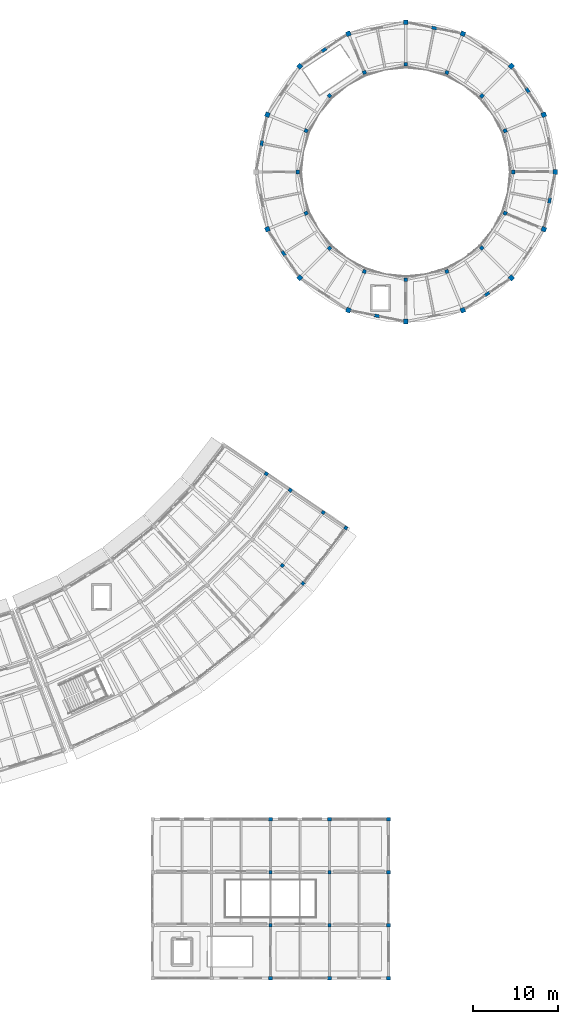
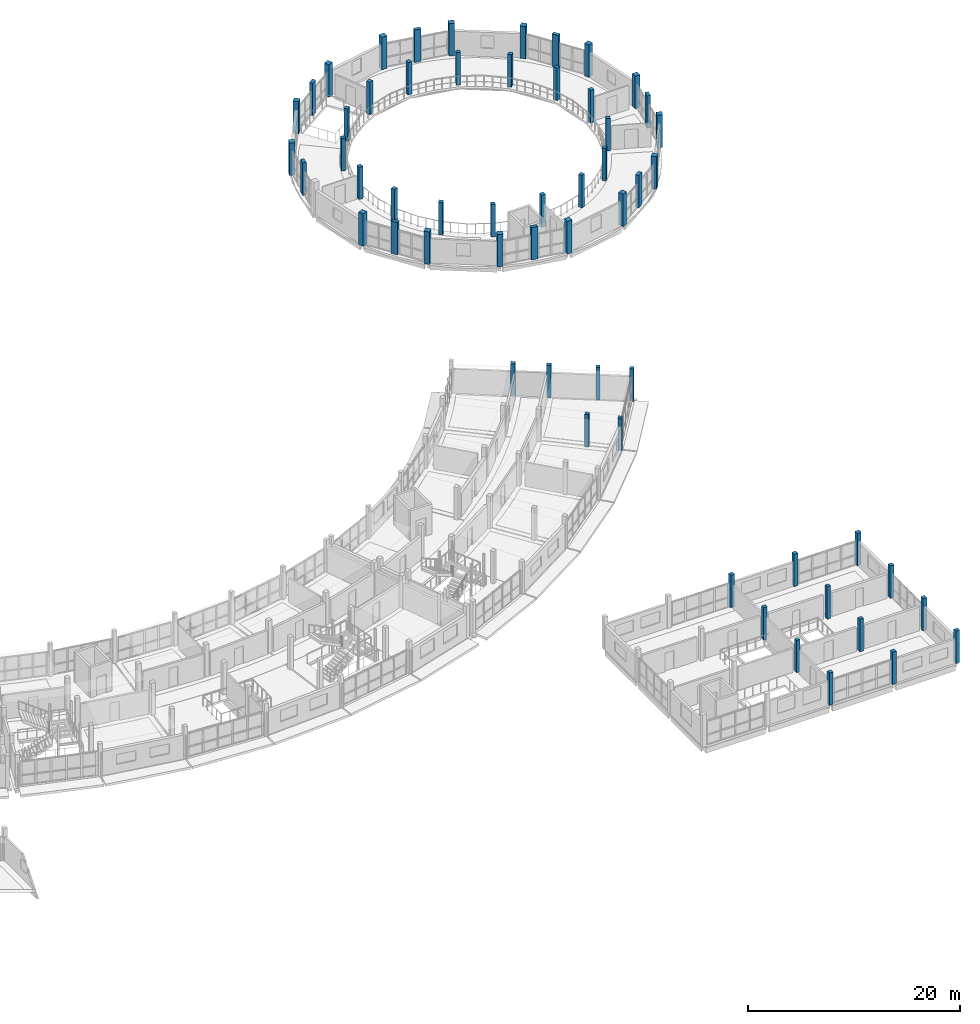
# One storey, part 14 of 77: 57 columns.
"""IFC4 building model written with IfcOpenShell, lengths in metres."""

import ifcopenshell
import ifcopenshell.guid

model = None  # the IFC model being written
_history = None  # IfcOwnerHistory: only IFC2X3 demands one
_inside = {}  # id of a spatial element -> (the spatial element, [elements in it])
_under = {}  # id of a project, library or spatial element -> (it, [spatial elements below it])
_declared = {}  # id of a project -> (the project, [libraries it declares])
_typed = {}  # id of a type object -> (the type object, [elements of that type])
_made_of = {}  # id of a material, layer set ... -> (it, [elements and type objects made of it])


def new_model(schema):
    """Start an empty IFC model of exactly this schema.

    Asked for "IFC4X3", IfcOpenShell would pick the latest addendum, in which some entities
    have other attributes; the version numbers below select the first issue.
    IFC2X3 requires an IfcOwnerHistory on every rooted entity: one is made here for all.
    """
    global model, _history
    if schema == "IFC4X3":
        model = ifcopenshell.file(schema_version=(4, 3, 0, 0))
    else:
        model = ifcopenshell.file(schema=schema)
    _inside.clear()
    _under.clear()
    _declared.clear()
    _typed.clear()
    _made_of.clear()
    _history = None
    if model.schema == "IFC2X3":
        org = make("IfcOrganization", Name="unknown")
        user = make(
            "IfcPersonAndOrganization",
            ThePerson=make("IfcPerson", FamilyName="unknown"),
            TheOrganization=org,
        )
        app = make(
            "IfcApplication",
            ApplicationDeveloper=org,
            Version="unknown",
            ApplicationFullName="unknown",
            ApplicationIdentifier="unknown",
        )
        _history = make(
            "IfcOwnerHistory",
            OwningUser=user,
            OwningApplication=app,
            ChangeAction="ADDED",
            CreationDate=0,
        )
    return model


def make(cls, **values):
    """One entity of the class cls with the attributes given. An attribute that is None is left unset."""
    return model.create_entity(
        cls, **{name: value for name, value in values.items() if value is not None}
    )


def rooted(cls, **values):
    """An entity with a GlobalId (a new one), such as an element, a storey or a relation."""
    return make(cls, GlobalId=ifcopenshell.guid.new(), OwnerHistory=_history, **values)


def si_unit(unit_type, name, prefix=None):
    """IfcSIUnit, for example si_unit("LENGTHUNIT", "METRE", prefix="MILLI")."""
    return make("IfcSIUnit", UnitType=unit_type, Prefix=prefix, Name=name)


def assignment(units):
    """IfcUnitAssignment: the units of a project."""
    return None if units is None else make("IfcUnitAssignment", Units=units)


def point(xyz):
    """IfcCartesianPoint."""
    return None if xyz is None else make("IfcCartesianPoint", Coordinates=xyz)


def direction(xyz):
    """IfcDirection."""
    return None if xyz is None else make("IfcDirection", DirectionRatios=xyz)


def frame(location, z_axis=None, x_axis=None):
    """IfcAxis2Placement3D, a coordinate frame: its origin and axes. An axis left out is left unset."""
    return make(
        "IfcAxis2Placement3D",
        Location=point(location),
        Axis=direction(z_axis),
        RefDirection=direction(x_axis),
    )


def frame_2d(location, x_axis=None):
    """IfcAxis2Placement2D, a coordinate frame in the plane: its origin and x axis."""
    return make(
        "IfcAxis2Placement2D", Location=point(location), RefDirection=direction(x_axis)
    )


def origin():
    """The frame at (0, 0, 0) with its axes left unset."""
    return frame((0.0, 0.0, 0.0))


def origin_2d():
    """The frame at (0, 0) in the plane with its x axis left unset."""
    return frame_2d((0.0, 0.0))


def place(relative_to, where):
    """IfcLocalPlacement: puts the frame where relative to a parent placement (None: the world)."""
    return make(
        "IfcLocalPlacement", PlacementRelTo=relative_to, RelativePlacement=where
    )


def context(
    kind, dimensions, precision=None, world=None, true_north=None, identifier=None
):
    """IfcGeometricRepresentationContext, for example the 3D "Model" context."""
    return make(
        "IfcGeometricRepresentationContext",
        ContextIdentifier=identifier,
        ContextType=kind,
        CoordinateSpaceDimension=dimensions,
        Precision=precision,
        WorldCoordinateSystem=world,
        TrueNorth=true_north,
    )


def subcontext(parent, identifier, kind, view, scale=None):
    """IfcGeometricRepresentationSubContext, for example "Body" below "Model"."""
    return make(
        "IfcGeometricRepresentationSubContext",
        ContextIdentifier=identifier,
        ContextType=kind,
        ParentContext=parent,
        TargetScale=scale,
        TargetView=view,
    )


def project(units=None, contexts=None):
    """IfcProject with its units and contexts."""
    return rooted(
        "IfcProject",
        Name="project",
        RepresentationContexts=contexts,
        UnitsInContext=assignment(units),
    )


def spatial(cls, under=None, at=None, **own):
    """A site, building, storey or space (cls), placed at a placement, below another one or the project."""
    s = rooted(cls, ObjectPlacement=at, **own)
    if under is not None:
        _under.setdefault(under.id(), (under, []))[1].append(s)
    return s


def profile(cls, at=None, kind="AREA", **sizes):
    """A parametric profile (cls). Its sizes go by their IFC names, for example OverallWidth=200.0."""
    return make(cls, ProfileType=kind, Position=at, **sizes)


def rectangle(**sizes):
    """IfcRectangleProfileDef."""
    return profile("IfcRectangleProfileDef", **sizes)


def extrude(swept, where, along, depth):
    """IfcExtrudedAreaSolid: the profile swept, set in the frame where, extruded along a direction by depth."""
    return make(
        "IfcExtrudedAreaSolid",
        SweptArea=swept,
        Position=where,
        ExtrudedDirection=direction(along),
        Depth=depth,
    )


def shape(context_of_items, identifier, shape_type, items):
    """IfcShapeRepresentation: the items that make up one representation, for example the "Body"."""
    return make(
        "IfcShapeRepresentation",
        ContextOfItems=context_of_items,
        RepresentationIdentifier=identifier,
        RepresentationType=shape_type,
        Items=items,
    )


def material(Name=None, Category=None):
    """IfcMaterial."""
    return make("IfcMaterial", Name=Name, Category=Category)


def material_profile(
    of_material, cross_section, Name=None, Category=None, Priority=None
):
    """IfcMaterialProfile: a cross section and its material."""
    return make(
        "IfcMaterialProfile",
        Name=Name,
        Material=of_material,
        Profile=cross_section,
        Priority=Priority,
        Category=Category,
    )


def profile_set(profiles, Name=None, composite=None):
    """IfcMaterialProfileSet."""
    return make(
        "IfcMaterialProfileSet",
        Name=Name,
        MaterialProfiles=profiles,
        CompositeProfile=composite,
    )


def made_of(thing, what):
    """Note that an element or type object is made of a material, layer set ...; save() writes the relation."""
    if what is not None:
        _made_of.setdefault(what.id(), (what, []))[1].append(thing)
    return thing


def type_object(cls, material=None, **own):
    """A type object (cls), such as IfcWallType, which elements share."""
    return made_of(rooted(cls, **own), material)


def element(
    cls,
    number,
    at=None,
    inside=None,
    cuts=None,
    type_object=None,
    material=None,
    context=None,
    identifier="Body",
    shape_type=None,
    held_by="IfcProductDefinitionShape",
    body=None,
    shapes=None,
    **own,
):
    """One element of the class cls, such as IfcWall. Its Tag is "e" and its number.

    at: its placement. inside: the storey or other place that contains it. cuts: it is an
    opening in that element (IfcRelVoidsElement). A single representation is given by context,
    identifier, shape_type and body (its items); several are given by shapes. held_by: the class
    of the entity that holds the representations. save() writes the other relations.
    """
    e = rooted(cls, Tag="e%d" % number, ObjectPlacement=at, **own)
    if body is not None:
        shapes = [shape(context, identifier, shape_type, body)]
    if shapes is not None:
        e.Representation = make(held_by, Representations=shapes)
    if inside is not None:
        _inside.setdefault(inside.id(), (inside, []))[1].append(e)
    if cuts is not None:
        rooted(
            "IfcRelVoidsElement", RelatingBuildingElement=cuts, RelatedOpeningElement=e
        )
    if type_object is not None:
        _typed.setdefault(type_object.id(), (type_object, []))[1].append(e)
    return made_of(e, material)


def aggregate(whole, parts):
    """IfcRelAggregates: a whole, such as a stair, and the parts it consists of."""
    return rooted("IfcRelAggregates", RelatingObject=whole, RelatedObjects=parts)


def save(model, path):
    """Write the relations noted so far, then the file.

    IfcRelAggregates (storeys below a building ...), IfcRelContainedInSpatialStructure (elements
    in a storey), IfcRelDefinesByType, IfcRelAssociatesMaterial and IfcRelDeclares: one each for
    every whole, place, type object, material and project.
    """
    for whole, parts in _under.values():
        aggregate(whole, parts)
    for where, things in _inside.values():
        rooted(
            "IfcRelContainedInSpatialStructure",
            RelatedElements=things,
            RelatingStructure=where,
        )
    for kind, things in _typed.values():
        rooted("IfcRelDefinesByType", RelatedObjects=things, RelatingType=kind)
    for what, things in _made_of.values():
        rooted("IfcRelAssociatesMaterial", RelatedObjects=things, RelatingMaterial=what)
    for by, libraries in _declared.values():
        rooted("IfcRelDeclares", RelatingContext=by, RelatedDefinitions=libraries)
    model.write(path)


model = new_model("IFC4")

# Units and contexts
model_context = context("Model", 3, precision=1e-05, world=origin(), true_north=direction((0.0, 1.0)))
body_context = subcontext(model_context, "Body", "Model", "MODEL_VIEW")
ifc_project = project(units=[si_unit("LENGTHUNIT", "METRE"), si_unit("AREAUNIT", "SQUARE_METRE"), si_unit("VOLUMEUNIT", "CUBIC_METRE"), si_unit("PLANEANGLEUNIT", "RADIAN"), si_unit("MASSUNIT", "GRAM", prefix="KILO")], contexts=[model_context])

# Site, building, storey
site_placement = place(None, origin())
site = spatial("IfcSite", under=ifc_project, at=site_placement, CompositionType="ELEMENT")
building_placement = place(site_placement, origin())
building = spatial("IfcBuilding", under=site, at=building_placement, Name="Caldaven Crescent School", CompositionType="ELEMENT")
storey_placement = place(building_placement, frame((0.0, 0.0, 4.419921875)))
storey = spatial("IfcBuildingStorey", under=building, at=storey_placement, Name="L01", CompositionType="ELEMENT", Elevation=4.419921875)

# Columns
ifc_material_1 = material(Name="Glulam MLE24h (GL28h)", Category="wood")
ifc_material_profile_1 = material_profile(ifc_material_1, rectangle(XDim=0.389892578125, YDim=0.389892578125, at=origin_2d()), Name="MLE 390x390")
ifc_profile_set_1 = profile_set([ifc_material_profile_1], Name="Glulam MLE24h (GL28h)")
column_type_1 = type_object("IfcColumnType", Name="COL-GL39", PredefinedType="COLUMN", material=ifc_profile_set_1)
for number, where, z_axis, x_axis, name in (
    (1, (136.699951171875, 10.39990234375, 0.0), (0.0, 0.0, 1.0), (1.0, 0.0, 0.0), "COL-V3-L01-2-1"),
    (2, (136.699951171875, 16.60009765625, 0.0), (0.0, 0.0, 1.0), (1.0, 0.0, 0.0), "COL-V3-L01-2-2"),
    (3, (143.60009765625, 10.39990234375, 0.0), (0.0, 0.0, 1.0), (1.0, 0.0, 0.0), "COL-V3-L01-3-1"),
    (4, (143.60009765625, 16.60009765625, 0.0), (0.0, 0.0, 1.0), (1.0, 0.0, 0.0), "COL-V3-L01-3-2"),
    (5, (138.074951171875, 52.470458984375, 0.0), (0.0, 0.0, 1.0), (0.754709580223, -0.656059028991, 0.0), "COL-V4E-L01-04-3"),
    (6, (140.489990234375, 50.37109375, 0.0), (0.0, 0.0, 1.0), (0.754709580223, -0.656059028991, 0.0), "COL-V4E-L01-04-4"),
    (7, (142.85400390625, 58.67236328125, 0.0), (0.0, 0.0, 1.0), (0.826786154745, -0.562516359159, 0.0), "COL-V4E-L01-05-3"),
    (8, (145.499755859375, 56.8720703125, 0.0), (0.0, 0.0, 1.0), (0.826786154745, -0.562516359159, 0.0), "COL-V4E-L01-05-4"),
):
    element("IfcColumn", number, at=place(storey_placement, frame(where, z_axis=z_axis, x_axis=x_axis)), inside=storey, type_object=column_type_1, Name=name, PredefinedType="COLUMN", context=body_context, shape_type="SweptSolid", body=[
        extrude(rectangle(XDim=0.389892578125, YDim=0.389892578125, at=origin_2d()), origin(), (0.0, 0.0, 1.0), 3.739990234375),
    ])
ifc_material_profile_2 = material_profile(ifc_material_1, rectangle(XDim=0.419921875, YDim=0.419921875, at=origin_2d()), Name="MLE 420x420")
ifc_profile_set_2 = profile_set([ifc_material_profile_2], Name="Glulam MLE24h (GL28h)")
column_type_2 = type_object("IfcColumnType", Name="COL-GL42", PredefinedType="COLUMN", material=ifc_profile_set_2)
for number, where, z_axis, x_axis, name in (
    (9, (165.10009765625, 98.5, 0.0), (0.0, 0.0, 1.0), (1.0, 0.0, 0.0), "COL-V1-L01-GAL-00"),
    (10, (164.140869140625, 103.32177734375, 0.0), (0.0, 0.0, 1.0), (0.923879532511, 0.382683432365, 0.0), "COL-V1-L01-GAL-01"),
    (11, (161.409423828125, 107.409423828125, 0.0), (0.0, 0.0, 1.0), (0.707106781187, 0.707106781187, 0.0), "COL-V1-L01-GAL-02"),
    (12, (157.32177734375, 110.140869140625, 0.0), (0.0, 0.0, 1.0), (0.382683432365, 0.923879532511, 0.0), "COL-V1-L01-GAL-03"),
    (13, (152.5, 111.10009765625, 0.0), (0.0, 0.0, 1.0), (0.0, 1.0, 0.0), "COL-V1-L01-GAL-04"),
    (14, (147.67822265625, 110.140869140625, 0.0), (0.0, 0.0, 1.0), (-0.382683432365, 0.923879532511, 0.0), "COL-V1-L01-GAL-05"),
    (15, (143.590576171875, 107.409423828125, 0.0), (0.0, 0.0, 1.0), (-0.707106781187, 0.707106781187, 0.0), "COL-V1-L01-GAL-06"),
    (16, (140.859130859375, 103.32177734375, 0.0), (0.0, 0.0, 1.0), (-0.923879532511, 0.382683432365, 0.0), "COL-V1-L01-GAL-07"),
    (17, (139.89990234375, 98.5, 0.0), (0.0, 0.0, 1.0), (-1.0, 0.0, 0.0), "COL-V1-L01-GAL-08"),
    (18, (140.859130859375, 93.67822265625, 0.0), (0.0, 0.0, 1.0), (-0.923879532511, -0.382683432365, 0.0), "COL-V1-L01-GAL-09"),
    (19, (143.590576171875, 89.590576171875, 0.0), (0.0, 0.0, 1.0), (-0.707106781187, -0.707106781187, 0.0), "COL-V1-L01-GAL-10"),
    (20, (147.67822265625, 86.859130859375, 0.0), (0.0, 0.0, 1.0), (-0.382683432365, -0.923879532511, 0.0), "COL-V1-L01-GAL-11"),
    (21, (152.5, 85.89990234375, 0.0), (0.0, 0.0, 1.0), (0.0, -1.0, 0.0), "COL-V1-L01-GAL-12"),
    (22, (157.32177734375, 86.859130859375, 0.0), (0.0, 0.0, 1.0), (0.382683432365, -0.923879532511, 0.0), "COL-V1-L01-GAL-13"),
    (23, (161.409423828125, 89.590576171875, 0.0), (0.0, 0.0, 1.0), (0.707106781187, -0.707106781187, 0.0), "COL-V1-L01-GAL-14"),
    (24, (164.140869140625, 93.67822265625, 0.0), (0.0, 0.0, 1.0), (0.923879532511, -0.382683432365, 0.0), "COL-V1-L01-GAL-15"),
    (25, (136.699951171875, 4.199951171875, 0.0), (0.0, 0.0, 1.0), (1.0, 0.0, 0.0), "COL-V3-L01-2-0"),
    (26, (136.699951171875, 22.800048828125, 0.0), (0.0, 0.0, 1.0), (1.0, 0.0, 0.0), "COL-V3-L01-2-3"),
    (27, (143.60009765625, 4.199951171875, 0.0), (0.0, 0.0, 1.0), (1.0, 0.0, 0.0), "COL-V3-L01-3-0"),
    (28, (143.60009765625, 22.800048828125, 0.0), (0.0, 0.0, 1.0), (1.0, 0.0, 0.0), "COL-V3-L01-3-3"),
    (29, (150.5, 4.199951171875, 0.0), (0.0, 0.0, 1.0), (1.0, 0.0, 0.0), "COL-V3-L01-4-0"),
    (30, (150.5, 10.39990234375, 0.0), (0.0, 0.0, 1.0), (1.0, 0.0, 0.0), "COL-V3-L01-4-1"),
    (31, (150.5, 16.60009765625, 0.0), (0.0, 0.0, 1.0), (1.0, 0.0, 0.0), "COL-V3-L01-4-2"),
    (32, (150.5, 22.800048828125, 0.0), (0.0, 0.0, 1.0), (1.0, 0.0, 0.0), "COL-V3-L01-4-3"),
    (33, (136.198974609375, 63.201171875, 0.0), (0.0, 0.0, 1.0), (0.826786154745, -0.562516359159, 0.0), "COL-V4E-L01-05-1"),
    (34, (139.009765625, 61.288330078125, 0.0), (0.0, 0.0, 1.0), (0.826786154745, -0.562516359159, 0.0), "COL-V4E-L01-05-2"),
):
    element("IfcColumn", number, at=place(storey_placement, frame(where, z_axis=z_axis, x_axis=x_axis)), inside=storey, type_object=column_type_2, Name=name, PredefinedType="COLUMN", context=body_context, shape_type="SweptSolid", body=[
        extrude(rectangle(XDim=0.419921875, YDim=0.419921875, at=origin_2d()), origin(), (0.0, 0.0, 1.0), 3.739990234375),
    ])
ifc_material_2 = material(Name="Concrete C35/45", Category="concrete")
ifc_material_profile_3 = material_profile(ifc_material_2, rectangle(XDim=0.550048828125, YDim=0.550048828125, at=origin_2d()), Name="RC 550x550")
ifc_profile_set_3 = profile_set([ifc_material_profile_3], Name="Concrete C35/45")
column_type_3 = type_object("IfcColumnType", Name="COL-RC55", PredefinedType="COLUMN", material=ifc_profile_set_3)
for number, where, z_axis, x_axis, name in (
    (35, (170.0, 98.5, 0.0), (0.0, 0.0, 1.0), (1.0, 0.0, 0.0), "COL-V1-L01-OUT-00"),
    (36, (168.66796875, 105.197021484375, 0.0), (0.0, 0.0, 1.0), (0.923879532511, 0.382683432365, 0.0), "COL-V1-L01-OUT-01"),
    (37, (164.874267578125, 110.874267578125, 0.0), (0.0, 0.0, 1.0), (0.707106781187, 0.707106781187, 0.0), "COL-V1-L01-OUT-02"),
    (38, (159.197021484375, 114.66796875, 0.0), (0.0, 0.0, 1.0), (0.382683432365, 0.923879532511, 0.0), "COL-V1-L01-OUT-03"),
    (39, (152.5, 116.0, 0.0), (0.0, 0.0, 1.0), (0.0, 1.0, 0.0), "COL-V1-L01-OUT-04"),
    (40, (145.802978515625, 114.66796875, 0.0), (0.0, 0.0, 1.0), (-0.382683432365, 0.923879532511, 0.0), "COL-V1-L01-OUT-05"),
    (41, (140.125732421875, 110.874267578125, 0.0), (0.0, 0.0, 1.0), (-0.707106781187, 0.707106781187, 0.0), "COL-V1-L01-OUT-06"),
    (42, (136.33203125, 105.197021484375, 0.0), (0.0, 0.0, 1.0), (-0.923879532511, 0.382683432365, 0.0), "COL-V1-L01-OUT-07"),
    (43, (136.33203125, 91.802978515625, 0.0), (0.0, 0.0, 1.0), (-0.923879532511, -0.382683432365, 0.0), "COL-V1-L01-OUT-09"),
    (44, (140.125732421875, 86.125732421875, 0.0), (0.0, 0.0, 1.0), (-0.707106781187, -0.707106781187, 0.0), "COL-V1-L01-OUT-10"),
    (45, (145.802978515625, 82.33203125, 0.0), (0.0, 0.0, 1.0), (-0.382683432365, -0.923879532511, 0.0), "COL-V1-L01-OUT-11"),
    (46, (152.5, 81.0, 0.0), (0.0, 0.0, 1.0), (0.0, -1.0, 0.0), "COL-V1-L01-OUT-12"),
    (47, (159.197021484375, 82.33203125, 0.0), (0.0, 0.0, 1.0), (0.382683432365, -0.923879532511, 0.0), "COL-V1-L01-OUT-13"),
    (48, (164.874267578125, 86.125732421875, 0.0), (0.0, 0.0, 1.0), (0.707106781187, -0.707106781187, 0.0), "COL-V1-L01-OUT-14"),
    (49, (168.66796875, 91.802978515625, 0.0), (0.0, 0.0, 1.0), (0.923879532511, -0.382683432365, 0.0), "COL-V1-L01-OUT-15"),
):
    element("IfcColumn", number, at=place(storey_placement, frame(where, z_axis=z_axis, x_axis=x_axis)), inside=storey, type_object=column_type_3, Name=name, PredefinedType="COLUMN", context=body_context, shape_type="SweptSolid", body=[
        extrude(rectangle(XDim=0.550048828125, YDim=0.550048828125, at=origin_2d()), origin(), (0.0, 0.0, 1.0), 3.739990234375),
    ])
ifc_material_3 = material(Name="Concrete C30/37", Category="concrete")
ifc_material_profile_4 = material_profile(ifc_material_3, rectangle(XDim=0.35009765625, YDim=0.64990234375, at=origin_2d()), Name="RC 350x650")
ifc_profile_set_4 = profile_set([ifc_material_profile_4], Name="Concrete C30/37")
column_type_4 = type_object("IfcColumnType", Name="PIL-RC35", PredefinedType="PILASTER", material=ifc_profile_set_4)
for number, where, z_axis, x_axis, name in (
    (50, (166.771240234375, 108.03564453125, 0.0), (0.0, 0.0, 1.0), (0.831469612303, 0.55557023302, 0.0), "PIL-V1-L01-00"),
    (51, (155.848388671875, 115.333984375, 0.0), (0.0, 0.0, 1.0), (0.195090322016, 0.980785280403, 0.0), "PIL-V1-L01-01"),
    (52, (142.96435546875, 112.771240234375, 0.0), (0.0, 0.0, 1.0), (-0.55557023302, 0.831469612303, 0.0), "PIL-V1-L01-02"),
    (53, (135.666015625, 101.848388671875, 0.0), (0.0, 0.0, 1.0), (-0.980785280403, 0.195090322016, 0.0), "PIL-V1-L01-03"),
    (54, (138.228759765625, 88.96435546875, 0.0), (0.0, 0.0, 1.0), (-0.831469612303, -0.55557023302, 0.0), "PIL-V1-L01-04"),
    (55, (149.151611328125, 81.666015625, 0.0), (0.0, 0.0, 1.0), (-0.195090322016, -0.980785280403, 0.0), "PIL-V1-L01-05"),
    (56, (162.03564453125, 84.228759765625, 0.0), (0.0, 0.0, 1.0), (0.55557023302, -0.831469612303, 0.0), "PIL-V1-L01-06"),
    (57, (169.333984375, 95.151611328125, 0.0), (0.0, 0.0, 1.0), (0.980785280403, -0.195090322016, 0.0), "PIL-V1-L01-07"),
):
    element("IfcColumn", number, at=place(storey_placement, frame(where, z_axis=z_axis, x_axis=x_axis)), inside=storey, type_object=column_type_4, Name=name, PredefinedType="PILASTER", context=body_context, shape_type="SweptSolid", body=[
        extrude(rectangle(XDim=0.35009765625, YDim=0.64990234375, at=origin_2d()), origin(), (0.0, 0.0, 1.0), 3.739990234375),
    ])

save(model, "model.ifc")
